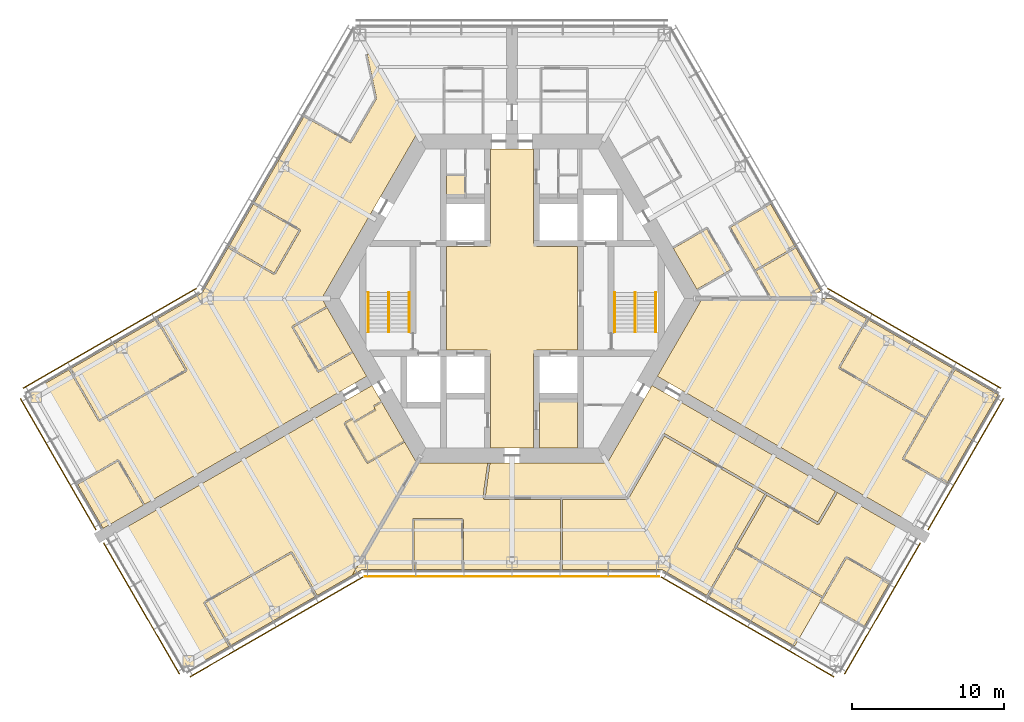
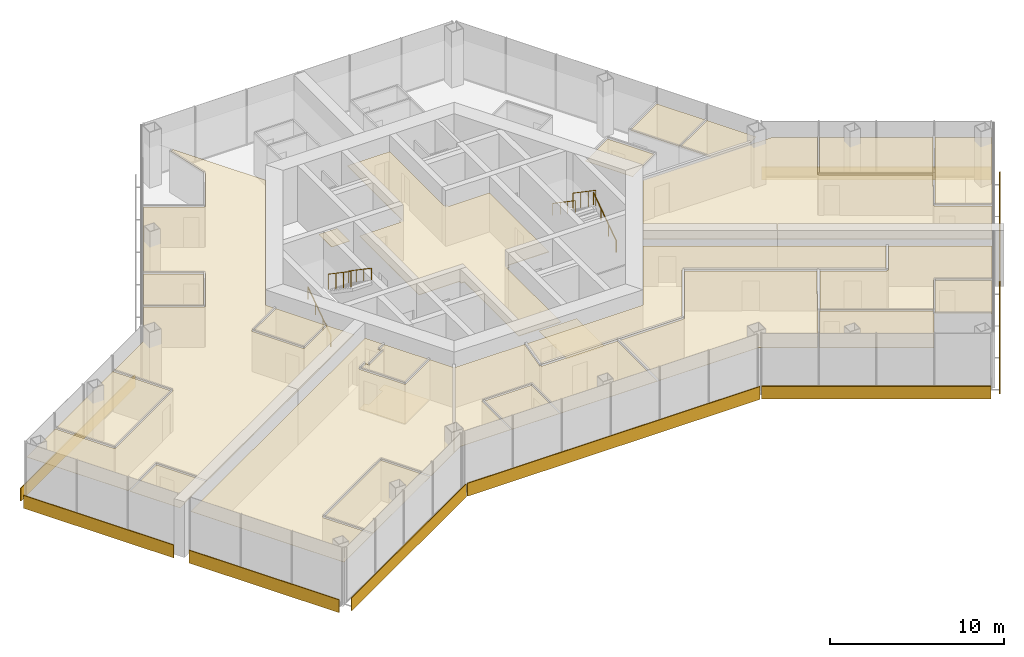
# One storey, part 17 of 18: 25 coverings, 9 shading devices, 6 railings.
"""IFC4 building model written with IfcOpenShell, lengths in metres."""

import ifcopenshell
import ifcopenshell.guid

model = None  # the IFC model being written
_history = None  # IfcOwnerHistory: only IFC2X3 demands one
_inside = {}  # id of a spatial element -> (the spatial element, [elements in it])
_under = {}  # id of a project, library or spatial element -> (it, [spatial elements below it])
_declared = {}  # id of a project -> (the project, [libraries it declares])
_typed = {}  # id of a type object -> (the type object, [elements of that type])
_made_of = {}  # id of a material, layer set ... -> (it, [elements and type objects made of it])


def new_model(schema):
    """Start an empty IFC model of exactly this schema.

    Asked for "IFC4X3", IfcOpenShell would pick the latest addendum, in which some entities
    have other attributes; the version numbers below select the first issue.
    IFC2X3 requires an IfcOwnerHistory on every rooted entity: one is made here for all.
    """
    global model, _history
    if schema == "IFC4X3":
        model = ifcopenshell.file(schema_version=(4, 3, 0, 0))
    else:
        model = ifcopenshell.file(schema=schema)
    _inside.clear()
    _under.clear()
    _declared.clear()
    _typed.clear()
    _made_of.clear()
    _history = None
    if model.schema == "IFC2X3":
        org = make("IfcOrganization", Name="unknown")
        user = make(
            "IfcPersonAndOrganization",
            ThePerson=make("IfcPerson", FamilyName="unknown"),
            TheOrganization=org,
        )
        app = make(
            "IfcApplication",
            ApplicationDeveloper=org,
            Version="unknown",
            ApplicationFullName="unknown",
            ApplicationIdentifier="unknown",
        )
        _history = make(
            "IfcOwnerHistory",
            OwningUser=user,
            OwningApplication=app,
            ChangeAction="ADDED",
            CreationDate=0,
        )
    return model


def make(cls, **values):
    """One entity of the class cls with the attributes given. An attribute that is None is left unset."""
    return model.create_entity(
        cls, **{name: value for name, value in values.items() if value is not None}
    )


def rooted(cls, **values):
    """An entity with a GlobalId (a new one), such as an element, a storey or a relation."""
    return make(cls, GlobalId=ifcopenshell.guid.new(), OwnerHistory=_history, **values)


def si_unit(unit_type, name, prefix=None):
    """IfcSIUnit, for example si_unit("LENGTHUNIT", "METRE", prefix="MILLI")."""
    return make("IfcSIUnit", UnitType=unit_type, Prefix=prefix, Name=name)


def assignment(units):
    """IfcUnitAssignment: the units of a project."""
    return None if units is None else make("IfcUnitAssignment", Units=units)


def point(xyz):
    """IfcCartesianPoint."""
    return None if xyz is None else make("IfcCartesianPoint", Coordinates=xyz)


def direction(xyz):
    """IfcDirection."""
    return None if xyz is None else make("IfcDirection", DirectionRatios=xyz)


def frame(location, z_axis=None, x_axis=None):
    """IfcAxis2Placement3D, a coordinate frame: its origin and axes. An axis left out is left unset."""
    return make(
        "IfcAxis2Placement3D",
        Location=point(location),
        Axis=direction(z_axis),
        RefDirection=direction(x_axis),
    )


def frame_2d(location, x_axis=None):
    """IfcAxis2Placement2D, a coordinate frame in the plane: its origin and x axis."""
    return make(
        "IfcAxis2Placement2D", Location=point(location), RefDirection=direction(x_axis)
    )


def origin():
    """The frame at (0, 0, 0) with its axes left unset."""
    return frame((0.0, 0.0, 0.0))


def origin_2d():
    """The frame at (0, 0) in the plane with its x axis left unset."""
    return frame_2d((0.0, 0.0))


def place(relative_to, where):
    """IfcLocalPlacement: puts the frame where relative to a parent placement (None: the world)."""
    return make(
        "IfcLocalPlacement", PlacementRelTo=relative_to, RelativePlacement=where
    )


def context(
    kind, dimensions, precision=None, world=None, true_north=None, identifier=None
):
    """IfcGeometricRepresentationContext, for example the 3D "Model" context."""
    return make(
        "IfcGeometricRepresentationContext",
        ContextIdentifier=identifier,
        ContextType=kind,
        CoordinateSpaceDimension=dimensions,
        Precision=precision,
        WorldCoordinateSystem=world,
        TrueNorth=true_north,
    )


def subcontext(parent, identifier, kind, view, scale=None):
    """IfcGeometricRepresentationSubContext, for example "Body" below "Model"."""
    return make(
        "IfcGeometricRepresentationSubContext",
        ContextIdentifier=identifier,
        ContextType=kind,
        ParentContext=parent,
        TargetScale=scale,
        TargetView=view,
    )


def project(units=None, contexts=None):
    """IfcProject with its units and contexts."""
    return rooted(
        "IfcProject",
        Name="project",
        RepresentationContexts=contexts,
        UnitsInContext=assignment(units),
    )


def spatial(cls, under=None, at=None, **own):
    """A site, building, storey or space (cls), placed at a placement, below another one or the project."""
    s = rooted(cls, ObjectPlacement=at, **own)
    if under is not None:
        _under.setdefault(under.id(), (under, []))[1].append(s)
    return s


def polyline(points):
    """IfcPolyline through the points."""
    return make("IfcPolyline", Points=[point(p) for p in points])


def profile(cls, at=None, kind="AREA", **sizes):
    """A parametric profile (cls). Its sizes go by their IFC names, for example OverallWidth=200.0."""
    return make(cls, ProfileType=kind, Position=at, **sizes)


def rectangle(**sizes):
    """IfcRectangleProfileDef."""
    return profile("IfcRectangleProfileDef", **sizes)


def circle(**sizes):
    """IfcCircleProfileDef."""
    return profile("IfcCircleProfileDef", **sizes)


def outline(outer, holes=None, kind="AREA"):
    """IfcArbitraryClosedProfileDef: a profile drawn as a closed curve; with holes, ...WithVoids."""
    if holes is None:
        return make("IfcArbitraryClosedProfileDef", ProfileType=kind, OuterCurve=outer)
    return make(
        "IfcArbitraryProfileDefWithVoids",
        ProfileType=kind,
        OuterCurve=outer,
        InnerCurves=holes,
    )


def extrude(swept, where, along, depth):
    """IfcExtrudedAreaSolid: the profile swept, set in the frame where, extruded along a direction by depth."""
    return make(
        "IfcExtrudedAreaSolid",
        SweptArea=swept,
        Position=where,
        ExtrudedDirection=direction(along),
        Depth=depth,
    )


def shape(context_of_items, identifier, shape_type, items):
    """IfcShapeRepresentation: the items that make up one representation, for example the "Body"."""
    return make(
        "IfcShapeRepresentation",
        ContextOfItems=context_of_items,
        RepresentationIdentifier=identifier,
        RepresentationType=shape_type,
        Items=items,
    )


def material(Name=None, Category=None):
    """IfcMaterial."""
    return make("IfcMaterial", Name=Name, Category=Category)


def layer(
    of_material, thickness, ventilated=None, Name=None, Category=None, Priority=None
):
    """IfcMaterialLayer: one layer of a wall or slab, of a material (None: an air gap)."""
    return make(
        "IfcMaterialLayer",
        Material=of_material,
        LayerThickness=thickness,
        IsVentilated=ventilated,
        Name=Name,
        Category=Category,
        Priority=Priority,
    )


def layer_set(layers, Name=None):
    """IfcMaterialLayerSet."""
    return make("IfcMaterialLayerSet", MaterialLayers=layers, LayerSetName=Name)


def made_of(thing, what):
    """Note that an element or type object is made of a material, layer set ...; save() writes the relation."""
    if what is not None:
        _made_of.setdefault(what.id(), (what, []))[1].append(thing)
    return thing


def type_object(cls, material=None, **own):
    """A type object (cls), such as IfcWallType, which elements share."""
    return made_of(rooted(cls, **own), material)


def element(
    cls,
    number,
    at=None,
    inside=None,
    cuts=None,
    type_object=None,
    material=None,
    context=None,
    identifier="Body",
    shape_type=None,
    held_by="IfcProductDefinitionShape",
    body=None,
    shapes=None,
    **own,
):
    """One element of the class cls, such as IfcWall. Its Tag is "e" and its number.

    at: its placement. inside: the storey or other place that contains it. cuts: it is an
    opening in that element (IfcRelVoidsElement). A single representation is given by context,
    identifier, shape_type and body (its items); several are given by shapes. held_by: the class
    of the entity that holds the representations. save() writes the other relations.
    """
    e = rooted(cls, Tag="e%d" % number, ObjectPlacement=at, **own)
    if body is not None:
        shapes = [shape(context, identifier, shape_type, body)]
    if shapes is not None:
        e.Representation = make(held_by, Representations=shapes)
    if inside is not None:
        _inside.setdefault(inside.id(), (inside, []))[1].append(e)
    if cuts is not None:
        rooted(
            "IfcRelVoidsElement", RelatingBuildingElement=cuts, RelatedOpeningElement=e
        )
    if type_object is not None:
        _typed.setdefault(type_object.id(), (type_object, []))[1].append(e)
    return made_of(e, material)


def aggregate(whole, parts):
    """IfcRelAggregates: a whole, such as a stair, and the parts it consists of."""
    return rooted("IfcRelAggregates", RelatingObject=whole, RelatedObjects=parts)


def save(model, path):
    """Write the relations noted so far, then the file.

    IfcRelAggregates (storeys below a building ...), IfcRelContainedInSpatialStructure (elements
    in a storey), IfcRelDefinesByType, IfcRelAssociatesMaterial and IfcRelDeclares: one each for
    every whole, place, type object, material and project.
    """
    for whole, parts in _under.values():
        aggregate(whole, parts)
    for where, things in _inside.values():
        rooted(
            "IfcRelContainedInSpatialStructure",
            RelatedElements=things,
            RelatingStructure=where,
        )
    for kind, things in _typed.values():
        rooted("IfcRelDefinesByType", RelatedObjects=things, RelatingType=kind)
    for what, things in _made_of.values():
        rooted("IfcRelAssociatesMaterial", RelatedObjects=things, RelatingMaterial=what)
    for by, libraries in _declared.values():
        rooted("IfcRelDeclares", RelatingContext=by, RelatedDefinitions=libraries)
    model.write(path)


model = new_model("IFC4")

# Units and contexts
model_context = context("Model", 3, precision=1e-05, world=origin(), true_north=direction((0.0, 1.0)))
body_context = subcontext(model_context, "Body", "Model", "MODEL_VIEW")
ifc_project = project(units=[si_unit("LENGTHUNIT", "METRE"), si_unit("AREAUNIT", "SQUARE_METRE"), si_unit("VOLUMEUNIT", "CUBIC_METRE"), si_unit("PLANEANGLEUNIT", "RADIAN"), si_unit("MASSUNIT", "GRAM", prefix="KILO")], contexts=[model_context])

# Site, building, storey
site_placement = place(None, origin())
site = spatial("IfcSite", under=ifc_project, at=site_placement, CompositionType="ELEMENT")
building_placement = place(site_placement, origin())
building = spatial("IfcBuilding", under=site, at=building_placement, Name="Kasaneha Research Tower", CompositionType="ELEMENT")
storey_placement = place(building_placement, frame((0.0, 0.0, 168.199951171875)))
storey = spatial("IfcBuildingStorey", under=building, at=storey_placement, Name="L42", CompositionType="ELEMENT", Elevation=168.199951171875)

# Covering
ifc_material_1 = material(Name="Aluminium panel ceiling", Category="aluminium")
ifc_layer_1 = layer(ifc_material_1, 0.0400390625)
ifc_layer_set_1 = layer_set([ifc_layer_1], Name="Lift lobby ceiling 40")
covering_type_1 = type_object("IfcCoveringType", Name="Lift lobby ceiling 40", PredefinedType="CEILING", material=ifc_layer_set_1)
covering_1_placement = place(storey_placement, frame((0.0, 0.0, 2.699951171875)))
element("IfcCovering", 1, at=covering_1_placement, inside=storey, type_object=covering_type_1, Name="Ceiling L42-01", PredefinedType="CEILING", context=body_context, shape_type="SweptSolid", body=[
    extrude(outline(polyline([(1.39990234375, 9.824951171875), (1.39990234375, 3.60009765625), (1.60009765625, 3.60009765625), (1.60009765625, 3.39990234375), (4.300048828125, 3.39990234375), (4.300048828125, -3.39990234375), (1.60009765625, -3.39990234375), (1.60009765625, -3.60009765625), (1.39990234375, -3.60009765625), (1.39990234375, -9.824951171875), (-1.39990234375, -9.824951171875), (-1.39990234375, -3.60009765625), (-1.60009765625, -3.60009765625), (-1.60009765625, -3.39990234375), (-4.300048828125, -3.39990234375), (-4.300048828125, 3.39990234375), (-1.60009765625, 3.39990234375), (-1.60009765625, 3.60009765625), (-1.39990234375, 3.60009765625), (-1.39990234375, 9.824951171875), (1.39990234375, 9.824951171875)])), origin(), (0.0, 0.0, 1.0), 0.0400390625),
])

# Railings
ifc_material_2 = material(Name="Steel", Category="steel")
railing_type_1 = type_object("IfcRailingType", Name="Stair balustrade 1100", PredefinedType="GUARDRAIL", material=ifc_material_2)
for number, where, name in (
    (2, (8.10009765625, 0.39990234375, 2.12744140625), "Stair 1 balustrade L42"),
    (3, (-8.10009765625, 0.39990234375, 2.12744140625), "Stair 2 balustrade L42"),
):
    element("IfcRailing", number, at=place(storey_placement, frame(where)), inside=storey, type_object=railing_type_1, Name=name, PredefinedType="GUARDRAIL", context=body_context, shape_type="SweptSolid", body=[
        extrude(circle(Radius=0.02392578125, at=origin_2d()), frame((0.0, 0.0, 1.076171875), z_axis=(0.0, -0.826215852431, 0.563353676824), x_axis=(1.0, 0.0, 0.0)), (0.0, 0.0, 1.0), 3.146728515625),
        extrude(circle(Radius=0.02099609375, at=origin_2d()), origin(), (0.0, 0.0, 1.0), 1.052001953125),
        extrude(circle(Radius=0.02099609375, at=origin_2d()), frame((0.0, -0.86669921875, 0.5908203125)), (0.0, 0.0, 1.0), 1.052001953125),
        extrude(circle(Radius=0.02099609375, at=origin_2d()), frame((0.0, -1.733154296875, 1.181884765625)), (0.0, 0.0, 1.0), 1.052001953125),
        extrude(circle(Radius=0.02099609375, at=origin_2d()), frame((0.0, -2.599853515625, 1.772705078125)), (0.0, 0.0, 1.0), 1.052001953125),
    ])
ifc_material_3 = material(Name="Steel", Category="steel")
railing_type_2 = type_object("IfcRailingType", Name="Stair handrail 850", PredefinedType="HANDRAIL", material=ifc_material_3)
railing_1_placement = place(storey_placement, frame((9.449951171875, -2.199951171875, 0.17724609375)))
element("IfcRailing", 4, at=railing_1_placement, inside=storey, type_object=railing_type_2, Name="Stair 1 handrail L42", PredefinedType="HANDRAIL", context=body_context, shape_type="SweptSolid", body=[
    extrude(circle(Radius=0.02392578125, at=origin_2d()), frame((0.0, 0.0, 0.826171875), z_axis=(0.0, 0.826215852431, 0.563353676824), x_axis=(-1.0, 0.0, 0.0)), (0.0, 0.0, 1.0), 3.146728515625),
    extrude(circle(Radius=0.02099609375, at=origin_2d()), origin(), (0.0, 0.0, 1.0), 0.802001953125),
    extrude(circle(Radius=0.02099609375, at=origin_2d()), frame((0.0, 0.86669921875, 0.5908203125)), (0.0, 0.0, 1.0), 0.802001953125),
    extrude(circle(Radius=0.02099609375, at=origin_2d()), frame((0.0, 1.733154296875, 1.181884765625)), (0.0, 0.0, 1.0), 0.802001953125),
    extrude(circle(Radius=0.02099609375, at=origin_2d()), frame((0.0, 2.599853515625, 1.772705078125)), (0.0, 0.0, 1.0), 0.802001953125),
])
railing_2_placement = place(storey_placement, frame((6.75, 0.39990234375, 2.12744140625)))
element("IfcRailing", 5, at=railing_2_placement, inside=storey, type_object=railing_type_2, Name="Stair 1 handrail L42", PredefinedType="HANDRAIL", context=body_context, shape_type="SweptSolid", body=[
    extrude(circle(Radius=0.02392578125, at=origin_2d()), frame((0.0, 0.0, 0.826171875), z_axis=(0.0, -0.826215852431, 0.563353676824), x_axis=(1.0, 0.0, 0.0)), (0.0, 0.0, 1.0), 3.146728515625),
    extrude(circle(Radius=0.02099609375, at=origin_2d()), origin(), (0.0, 0.0, 1.0), 0.802001953125),
    extrude(circle(Radius=0.02099609375, at=origin_2d()), frame((0.0, -0.86669921875, 0.5908203125)), (0.0, 0.0, 1.0), 0.802001953125),
    extrude(circle(Radius=0.02099609375, at=origin_2d()), frame((0.0, -1.733154296875, 1.181884765625)), (0.0, 0.0, 1.0), 0.802001953125),
    extrude(circle(Radius=0.02099609375, at=origin_2d()), frame((0.0, -2.599853515625, 1.772705078125)), (0.0, 0.0, 1.0), 0.802001953125),
])
railing_3_placement = place(storey_placement, frame((-9.449951171875, -2.199951171875, 0.17724609375)))
element("IfcRailing", 6, at=railing_3_placement, inside=storey, type_object=railing_type_2, Name="Stair 2 handrail L42", PredefinedType="HANDRAIL", context=body_context, shape_type="SweptSolid", body=[
    extrude(circle(Radius=0.02392578125, at=origin_2d()), frame((0.0, 0.0, 0.826171875), z_axis=(0.0, 0.826215852431, 0.563353676824), x_axis=(-1.0, 0.0, 0.0)), (0.0, 0.0, 1.0), 3.146728515625),
    extrude(circle(Radius=0.02099609375, at=origin_2d()), origin(), (0.0, 0.0, 1.0), 0.802001953125),
    extrude(circle(Radius=0.02099609375, at=origin_2d()), frame((0.0, 0.86669921875, 0.5908203125)), (0.0, 0.0, 1.0), 0.802001953125),
    extrude(circle(Radius=0.02099609375, at=origin_2d()), frame((0.0, 1.733154296875, 1.181884765625)), (0.0, 0.0, 1.0), 0.802001953125),
    extrude(circle(Radius=0.02099609375, at=origin_2d()), frame((0.0, 2.599853515625, 1.772705078125)), (0.0, 0.0, 1.0), 0.802001953125),
])
railing_4_placement = place(storey_placement, frame((-6.75, 0.39990234375, 2.12744140625)))
element("IfcRailing", 7, at=railing_4_placement, inside=storey, type_object=railing_type_2, Name="Stair 2 handrail L42", PredefinedType="HANDRAIL", context=body_context, shape_type="SweptSolid", body=[
    extrude(circle(Radius=0.02392578125, at=origin_2d()), frame((0.0, 0.0, 0.826171875), z_axis=(0.0, -0.826215852431, 0.563353676824), x_axis=(1.0, 0.0, 0.0)), (0.0, 0.0, 1.0), 3.146728515625),
    extrude(circle(Radius=0.02099609375, at=origin_2d()), origin(), (0.0, 0.0, 1.0), 0.802001953125),
    extrude(circle(Radius=0.02099609375, at=origin_2d()), frame((0.0, -0.86669921875, 0.5908203125)), (0.0, 0.0, 1.0), 0.802001953125),
    extrude(circle(Radius=0.02099609375, at=origin_2d()), frame((0.0, -1.733154296875, 1.181884765625)), (0.0, 0.0, 1.0), 0.802001953125),
    extrude(circle(Radius=0.02099609375, at=origin_2d()), frame((0.0, -2.599853515625, 1.772705078125)), (0.0, 0.0, 1.0), 0.802001953125),
])

# Coverings
ifc_material_4 = material(Name="Gypsum ceiling board", Category="gypsum")
ifc_layer_2 = layer(ifc_material_4, 0.02001953125)
ifc_layer_set_2 = layer_set([ifc_layer_2], Name="Suspended ceiling 20")
covering_type_2 = type_object("IfcCoveringType", Name="Suspended ceiling 20", PredefinedType="CEILING", material=ifc_layer_set_2)
covering_2_placement = place(storey_placement, frame((0.0, 0.0, 2.800048828125)))
element("IfcCovering", 8, at=covering_2_placement, inside=storey, type_object=covering_type_2, Name="Ceiling L42-30", PredefinedType="CEILING", context=body_context, shape_type="SweptSolid", body=[
    extrude(outline(polyline([(10.57470703125, 3.333984375), (10.592041015625, 3.343994140625), (10.616943359375, 3.30078125), (12.80810546875, 4.565673828125), (14.358154296875, 1.881103515625), (12.1669921875, 0.6162109375), (12.192138671875, 0.57275390625), (12.1748046875, 0.562744140625), (10.57470703125, 3.333984375)])), origin(), (0.0, 0.0, 1.0), 0.02001953125),
])
covering_3_placement = place(storey_placement, frame((0.0, 0.0, 2.800048828125)))
element("IfcCovering", 9, at=covering_3_placement, inside=storey, type_object=covering_type_2, Name="Ceiling L42-31", PredefinedType="CEILING", context=body_context, shape_type="SweptSolid", body=[
    extrude(outline(polyline([(18.63720703125, 3.360595703125), (18.619873046875, 3.3505859375), (18.594970703125, 3.393798828125), (15.97216796875, 1.88525390625), (14.35546875, 4.677001953125), (16.99658203125, 6.201904296875), (18.63720703125, 3.360595703125)])), origin(), (0.0, 0.0, 1.0), 0.02001953125),
])
covering_4_placement = place(storey_placement, frame((0.0, 0.0, 2.800048828125)))
element("IfcCovering", 10, at=covering_4_placement, inside=storey, type_object=covering_type_2, Name="Ceiling L42-32", PredefinedType="CEILING", context=body_context, shape_type="SweptSolid", body=[
    extrude(outline(polyline([(20.28759765625, 0.501708984375), (19.41845703125, 0.0), (16.997802734375, 0.0), (16.986328125, 0.02001953125), (17.029541015625, 0.044921875), (16.022216796875, 1.798583984375), (18.644775390625, 3.30712890625), (18.619873046875, 3.3505859375), (18.63720703125, 3.360595703125), (20.28759765625, 0.501708984375)])), origin(), (0.0, 0.0, 1.0), 0.02001953125),
])
covering_5_placement = place(storey_placement, frame((0.0, 0.0, 2.800048828125)))
element("IfcCovering", 11, at=covering_5_placement, inside=storey, type_object=covering_type_2, Name="Ceiling L42-38", PredefinedType="CEILING", context=body_context, shape_type="SweptSolid", body=[
    extrude(outline(polyline([(-16.99658203125, 6.201904296875), (-14.0087890625, 4.476806640625), (-15.62451171875, 1.6787109375), (-18.5947265625, 3.393798828125), (-18.619873046875, 3.3505859375), (-18.63720703125, 3.360595703125), (-16.99658203125, 6.201904296875)])), origin(), (0.0, 0.0, 1.0), 0.02001953125),
])
covering_6_placement = place(storey_placement, frame((0.0, 0.0, 2.800048828125)))
element("IfcCovering", 12, at=covering_6_placement, inside=storey, type_object=covering_type_2, Name="Ceiling L42-39", PredefinedType="CEILING", context=body_context, shape_type="SweptSolid", body=[
    extrude(outline(polyline([(-23.34228515625, -1.352294921875), (-23.332275390625, -1.36962890625), (-23.37548828125, -1.39453125), (-21.46044921875, -4.71142578125), (-27.106689453125, -7.97119140625), (-29.03173828125, -4.636962890625), (-23.34228515625, -1.352294921875)])), origin(), (0.0, 0.0, 1.0), 0.02001953125),
])
covering_7_placement = place(storey_placement, frame((0.0, 0.0, 2.800048828125)))
element("IfcCovering", 13, at=covering_7_placement, inside=storey, type_object=covering_type_2, Name="Ceiling L42-40", PredefinedType="CEILING", context=body_context, shape_type="SweptSolid", body=[
    extrude(outline(polyline([(-10.474609375, -3.50732421875), (-10.491943359375, -3.51708984375), (-10.51708984375, -3.473876953125), (-12.7080078125, -4.739013671875), (-14.358154296875, -1.881103515625), (-12.1669921875, -0.6162109375), (-12.192138671875, -0.57275390625), (-12.1748046875, -0.562744140625), (-10.474609375, -3.50732421875)])), origin(), (0.0, 0.0, 1.0), 0.02001953125),
])
covering_8_placement = place(storey_placement, frame((0.0, 0.0, 2.800048828125)))
element("IfcCovering", 14, at=covering_8_placement, inside=storey, type_object=covering_type_2, Name="Ceiling L42-41", PredefinedType="CEILING", context=body_context, shape_type="SweptSolid", body=[
    extrude(outline(polyline([(-28.532958984375, -12.220458984375), (-25.8916015625, -10.6953125), (-24.235107421875, -13.564697265625), (-24.191650390625, -13.539794921875), (-24.181640625, -13.55712890625), (-26.866455078125, -15.107177734375), (-28.532958984375, -12.220458984375)])), origin(), (0.0, 0.0, 1.0), 0.02001953125),
])
covering_9_placement = place(storey_placement, frame((0.0, 0.0, 2.800048828125)))
element("IfcCovering", 15, at=covering_9_placement, inside=storey, type_object=covering_type_2, Name="Ceiling L42-42", PredefinedType="CEILING", context=body_context, shape_type="SweptSolid", body=[
    extrude(outline(polyline([(-12.1923828125, -0.572265625), (-12.217041015625, -0.529541015625), (-14.451416015625, -1.819580078125), (-14.426513671875, -1.86279296875), (-14.4267578125, -1.863037109375), (-14.4267578125, -1.863037109375), (-14.4697265625, -1.8876953125), (-12.769775390625, -4.832275390625), (-12.726806640625, -4.807373046875), (-12.7265625, -4.8076171875), (-12.726318359375, -4.8076171875), (-12.701416015625, -4.8505859375), (-10.467041015625, -3.560546875), (-10.49169921875, -3.517578125), (-10.474365234375, -3.507568359375), (-9.5498046875, -5.109375), (-10.3291015625, -5.559326171875), (-10.3291015625, -5.559326171875), (-18.001220703125, -9.98876953125), (-24.18115234375, -13.556884765625), (-24.191162109375, -13.53955078125), (-24.1484375, -13.514892578125), (-25.830078125, -10.60205078125), (-25.873046875, -10.626953125), (-25.873291015625, -10.626708984375), (-25.87353515625, -10.626708984375), (-25.898193359375, -10.583740234375), (-28.5830078125, -12.1337890625), (-31.94140625, -6.31689453125), (-29.1181640625, -4.68701171875), (-27.168212890625, -8.064697265625), (-27.125244140625, -8.039794921875), (-27.125, -8.0400390625), (-27.124755859375, -8.0400390625), (-27.10009765625, -8.0830078125), (-21.3671875, -4.773193359375), (-21.39208984375, -4.730224609375), (-21.391845703125, -4.730224609375), (-21.39208984375, -4.729736328125), (-21.348876953125, -4.704833984375), (-23.288818359375, -1.344482421875), (-23.331787109375, -1.369384765625), (-23.341796875, -1.35205078125), (-20.365966796875, 0.365966796875), (-18.637451171875, 3.360107421875), (-18.6201171875, 3.35009765625), (-18.644775390625, 3.30712890625), (-15.631103515625, 1.567138671875), (-15.606201171875, 1.6103515625), (-15.605712890625, 1.610107421875), (-15.605712890625, 1.6103515625), (-15.562744140625, 1.58544921875), (-13.897216796875, 4.47021484375), (-13.940185546875, 4.4951171875), (-13.940185546875, 4.495361328125), (-13.9404296875, 4.49560546875), (-13.91552734375, 4.53857421875), (-16.94677734375, 6.28857421875), (-13.64111328125, 12.01416015625), (-13.62353515625, 12.004150390625), (-13.6484375, 11.961181640625), (-10.634765625, 10.22119140625), (-10.609619140625, 10.264404296875), (-10.609375, 10.26416015625), (-10.609375, 10.26416015625), (-10.56640625, 10.239501953125), (-8.89990234375, 13.124267578125), (-8.943115234375, 13.1494140625), (-8.894287109375, 13.159912109375), (-9.51513671875, 16.034423828125), (-9.56396484375, 16.02392578125), (-9.56396484375, 16.02392578125), (-9.308837890625, 16.122314453125), (-6.25, 10.824462890625), (-12.49951171875, 0.0), (-12.175048828125, -0.562255859375), (-12.1923828125, -0.572265625)])), origin(), (0.0, 0.0, 1.0), 0.02001953125),
])
covering_10_placement = place(storey_placement, frame((0.0, 0.0, 2.800048828125)))
element("IfcCovering", 16, at=covering_10_placement, inside=storey, type_object=covering_type_2, Name="Ceiling L42-43", PredefinedType="CEILING", context=body_context, shape_type="SweptSolid", body=[
    extrude(outline(polyline([(-10.35498046875, -8.11474609375), (-10.35498046875, -8.11474609375), (-10.330078125, -8.157958984375), (-8.9443359375, -7.35791015625), (-8.994384765625, -7.271240234375), (-8.994384765625, -7.271240234375), (-9.09423828125, -7.09814453125), (-9.09423828125, -7.09814453125), (-9.0693359375, -7.141357421875), (-8.56689453125, -6.851318359375), (-8.592041015625, -6.80810546875), (-8.57470703125, -6.798095703125), (-7.07470703125, -9.396240234375), (-7.092041015625, -9.40625), (-7.116943359375, -9.36279296875), (-9.481201171875, -10.727783203125), (-10.931396484375, -8.21630859375), (-10.455078125, -7.94140625), (-10.35498046875, -8.11474609375)])), origin(), (0.0, 0.0, 1.0), 0.02001953125),
])
covering_11_placement = place(storey_placement, frame((0.0, 0.0, 2.800048828125)))
element("IfcCovering", 17, at=covering_11_placement, inside=storey, type_object=covering_type_2, Name="Ceiling L42-44", PredefinedType="CEILING", context=body_context, shape_type="SweptSolid", body=[
    extrude(outline(polyline([(-18.574951171875, -22.8486328125), (-18.5849609375, -22.831298828125), (-18.541748046875, -22.806396484375), (-20.15673828125, -20.009033203125), (-14.510498046875, -16.749267578125), (-12.885498046875, -19.563720703125), (-18.574951171875, -22.8486328125)])), origin(), (0.0, 0.0, 1.0), 0.02001953125),
])
covering_12_placement = place(storey_placement, frame((0.0, 0.0, 2.800048828125)))
element("IfcCovering", 18, at=covering_12_placement, inside=storey, type_object=covering_type_2, Name="Ceiling L42-45", PredefinedType="CEILING", context=body_context, shape_type="SweptSolid", body=[
    extrude(outline(polyline([(-9.979248046875, -6.16552734375), (-9.979248046875, -6.16552734375), (-9.19970703125, -5.715576171875), (-8.574951171875, -6.797607421875), (-8.59228515625, -6.8076171875), (-8.616943359375, -6.764892578125), (-9.119384765625, -7.0546875), (-9.094482421875, -7.09765625), (-9.0947265625, -7.097900390625), (-8.99462890625, -7.271484375), (-10.379638671875, -8.071044921875), (-10.47998046875, -7.897705078125), (-10.480224609375, -7.897705078125), (-10.5048828125, -7.854736328125), (-11.024658203125, -8.15478515625), (-10.999755859375, -8.19775390625), (-11.0, -8.197998046875), (-11.0, -8.1982421875), (-11.04296875, -8.22314453125), (-9.54296875, -10.8212890625), (-9.5, -10.79638671875), (-9.5, -10.796630859375), (-9.49951171875, -10.79638671875), (-9.474609375, -10.839599609375), (-7.06689453125, -9.449462890625), (-7.091796875, -9.40673828125), (-7.074462890625, -9.396728515625), (-6.249755859375, -10.824951171875), (-10.5, -18.1865234375), (-12.798828125, -19.513916015625), (-14.448974609375, -16.656005859375), (-14.4921875, -16.680908203125), (-14.51708984375, -16.6376953125), (-20.25, -19.947509765625), (-20.225341796875, -19.990234375), (-20.225341796875, -19.990478515625), (-20.22509765625, -19.99072265625), (-20.268310546875, -20.015625), (-18.62841796875, -22.856201171875), (-18.58544921875, -22.83154296875), (-18.575439453125, -22.848876953125), (-21.44140625, -24.50341796875), (-26.516357421875, -15.71337890625), (-10.84521484375, -6.66552734375), (-10.84521484375, -6.66552734375), (-9.979248046875, -6.16552734375)])), origin(), (0.0, 0.0, 1.0), 0.02001953125),
])
covering_13_placement = place(storey_placement, frame((0.0, 0.0, 2.800048828125)))
element("IfcCovering", 19, at=covering_13_placement, inside=storey, type_object=covering_type_2, Name="Ceiling L42-46", PredefinedType="CEILING", context=body_context, shape_type="SweptSolid", body=[
    extrude(outline(polyline([(29.03173828125, -4.63720703125), (27.203857421875, -7.7919921875), (21.560546875, -4.538330078125), (23.37548828125, -1.39453125), (23.332275390625, -1.36962890625), (23.34228515625, -1.352294921875), (29.03173828125, -4.63720703125)])), origin(), (0.0, 0.0, 1.0), 0.02001953125),
])
covering_14_placement = place(storey_placement, frame((0.0, 0.0, 2.800048828125)))
element("IfcCovering", 20, at=covering_14_placement, inside=storey, type_object=covering_type_2, Name="Ceiling L42-47", PredefinedType="CEILING", context=body_context, shape_type="SweptSolid", body=[
    extrude(outline(polyline([(31.941650390625, -6.316650390625), (28.5830078125, -12.1337890625), (25.768310546875, -10.5087890625), (27.269775390625, -7.887451171875), (27.265625, -7.885009765625), (29.118408203125, -4.68701171875), (31.941650390625, -6.316650390625)])), origin(), (0.0, 0.0, 1.0), 0.02001953125),
])
covering_15_placement = place(storey_placement, frame((0.0, 0.0, 2.800048828125)))
element("IfcCovering", 21, at=covering_15_placement, inside=storey, type_object=covering_type_2, Name="Ceiling L42-48", PredefinedType="CEILING", context=body_context, shape_type="SweptSolid", body=[
    extrude(outline(polyline([(9.5498046875, -5.109375), (12.49951171875, 0.0), (16.93994140625, 0.0), (16.94287109375, -0.0048828125), (16.951416015625, 0.0), (21.0, 0.0), (23.341796875, -1.35205078125), (23.331787109375, -1.369384765625), (23.288818359375, -1.344482421875), (21.448974609375, -4.531494140625), (21.491943359375, -4.556396484375), (21.49169921875, -4.556884765625), (21.491943359375, -4.556884765625), (21.46728515625, -4.599853515625), (27.158447265625, -7.881103515625), (25.65673828125, -10.502197265625), (25.69970703125, -10.52685546875), (25.69970703125, -10.527099609375), (25.699951171875, -10.52734375), (25.675048828125, -10.5703125), (28.532958984375, -12.220458984375), (26.866455078125, -15.107177734375), (14.286376953125, -7.843994140625), (10.3291015625, -5.559326171875), (10.3291015625, -5.559326171875), (9.5498046875, -5.109375)])), origin(), (0.0, 0.0, 1.0), 0.02001953125),
])
covering_16_placement = place(storey_placement, frame((0.0, 0.0, 2.800048828125)))
element("IfcCovering", 22, at=covering_16_placement, inside=storey, type_object=covering_type_2, Name="Ceiling L42-49", PredefinedType="CEILING", context=body_context, shape_type="SweptSolid", body=[
    extrude(outline(polyline([(9.991455078125, -8.944091796875), (9.9267578125, -8.906494140625), (7.534423828125, -13.050048828125), (3.25146484375, -13.050048828125), (3.241455078125, -13.050048828125), (-1.75830078125, -13.050048828125), (-1.449951171875, -10.85546875), (-1.524169921875, -10.844970703125), (-1.521240234375, -10.824951171875), (6.249755859375, -10.824951171875), (9.19970703125, -5.715576171875), (9.979248046875, -6.16552734375), (9.979248046875, -6.16552734375), (10.84521484375, -6.66552734375), (10.84521484375, -6.66552734375), (16.76171875, -10.08154296875), (21.320068359375, -12.71337890625), (21.310302734375, -12.730712890625), (21.245361328125, -12.693115234375), (20.0927734375, -14.689453125), (16.75048828125, -12.759765625), (16.75048828125, -12.759765625), (10.029052734375, -8.879150390625), (9.99169921875, -8.944091796875), (9.99169921875, -8.944091796875), (9.991455078125, -8.944091796875)])), origin(), (0.0, 0.0, 1.0), 0.02001953125),
])
covering_17_placement = place(storey_placement, frame((0.0, 0.0, 2.800048828125)))
element("IfcCovering", 23, at=covering_17_placement, inside=storey, type_object=covering_type_2, Name="Ceiling L42-50", PredefinedType="CEILING", context=body_context, shape_type="SweptSolid", body=[
    extrude(outline(polyline([(18.574951171875, -22.8486328125), (12.885498046875, -19.563720703125), (14.71240234375, -16.408935546875), (20.359619140625, -19.6689453125), (20.2314453125, -19.899169921875), (20.2666015625, -19.918701171875), (18.574951171875, -22.8486328125)])), origin(), (0.0, 0.0, 1.0), 0.02001953125),
])
covering_18_placement = place(storey_placement, frame((0.0, 0.0, 2.800048828125)))
element("IfcCovering", 24, at=covering_18_placement, inside=storey, type_object=covering_type_2, Name="Ceiling L42-51", PredefinedType="CEILING", context=body_context, shape_type="SweptSolid", body=[
    extrude(outline(polyline([(-6.492919921875, -17.820556640625), (-6.492919921875, -17.800537109375), (-6.44287109375, -17.800537109375), (-6.44287109375, -14.570556640625), (-3.29638671875, -14.570556640625), (-3.29638671875, -17.800537109375), (-3.246337890625, -17.800537109375), (-3.246337890625, -17.820556640625), (-6.492919921875, -17.820556640625)])), origin(), (0.0, 0.0, 1.0), 0.02001953125),
])
covering_19_placement = place(storey_placement, frame((0.0, 0.0, 2.800048828125)))
element("IfcCovering", 25, at=covering_19_placement, inside=storey, type_object=covering_type_2, Name="Ceiling L42-52", PredefinedType="CEILING", context=body_context, shape_type="SweptSolid", body=[
    extrude(outline(polyline([(23.133056640625, -21.573486328125), (23.11572265625, -21.5634765625), (23.140625, -21.520263671875), (20.3427734375, -19.90478515625), (20.470458984375, -19.67529296875), (20.474853515625, -19.677734375), (21.985107421875, -17.061767578125), (24.7998046875, -18.686767578125), (23.133056640625, -21.573486328125)])), origin(), (0.0, 0.0, 1.0), 0.02001953125),
])
covering_20_placement = place(storey_placement, frame((0.0, 0.0, 2.800048828125)))
element("IfcCovering", 26, at=covering_20_placement, inside=storey, type_object=covering_type_2, Name="Ceiling L42-53", PredefinedType="CEILING", context=body_context, shape_type="SweptSolid", body=[
    extrude(outline(polyline([(7.578125, -13.125244140625), (7.642578125, -13.16259765625), (10.01904296875, -9.046630859375), (16.6103515625, -12.85205078125), (14.624755859375, -16.30078125), (14.650634765625, -16.31591796875), (12.798828125, -19.513916015625), (9.865966796875, -17.820556640625), (3.246337890625, -17.820556640625), (3.246337890625, -17.800537109375), (3.3212890625, -17.800537109375), (3.326416015625, -13.199951171875), (7.57763671875, -13.199951171875), (7.57763671875, -13.12548828125), (7.577880859375, -13.12548828125), (7.578125, -13.125244140625)])), origin(), (0.0, 0.0, 1.0), 0.02001953125),
])
covering_21_placement = place(storey_placement, frame((0.0, 0.0, 2.800048828125)))
element("IfcCovering", 27, at=covering_21_placement, inside=storey, type_object=covering_type_2, Name="Ceiling L42-54", PredefinedType="CEILING", context=body_context, shape_type="SweptSolid", body=[
    extrude(outline(polyline([(-3.246337890625, -14.520263671875), (-3.246337890625, -14.470458984375), (-6.492919921875, -14.470458984375), (-6.492919921875, -14.52001953125), (-6.492919921875, -14.52001953125), (-6.492919921875, -14.5205078125), (-6.542724609375, -14.5205078125), (-6.542724609375, -17.800537109375), (-6.493408203125, -17.800537109375), (-6.493408203125, -17.820556640625), (-9.865966796875, -17.820556640625), (-10.5, -18.1865234375), (-6.249755859375, -10.824951171875), (-1.52197265625, -10.824951171875), (-1.524658203125, -10.844970703125), (-1.598388671875, -10.83447265625), (-1.9189453125, -13.114501953125), (-1.8447265625, -13.125), (-1.8447265625, -13.12548828125), (-1.844482421875, -13.12548828125), (-1.844482421875, -13.199951171875), (3.17626953125, -13.199951171875), (3.17138671875, -17.800537109375), (3.246337890625, -17.800537109375), (3.246337890625, -17.820556640625), (-3.245849609375, -17.820556640625), (-3.245849609375, -17.800537109375), (-3.1962890625, -17.800537109375), (-3.1962890625, -14.5205078125), (-3.24609375, -14.5205078125), (-3.24609375, -14.520263671875), (-3.246337890625, -14.520263671875)])), origin(), (0.0, 0.0, 1.0), 0.02001953125),
])
covering_22_placement = place(storey_placement, frame((0.0, 0.0, 2.800048828125)))
element("IfcCovering", 28, at=covering_22_placement, inside=storey, type_object=covering_type_2, Name="Ceiling L42-55", PredefinedType="CEILING", context=body_context, shape_type="SweptSolid", body=[
    extrude(outline(polyline([(25.57421875, -15.16943359375), (26.516357421875, -15.71337890625), (24.849609375, -18.60009765625), (21.99169921875, -16.9501953125), (21.967041015625, -16.9931640625), (21.966552734375, -16.992919921875), (21.966552734375, -16.9931640625), (21.923583984375, -16.968505859375), (20.4130859375, -19.58447265625), (14.779541015625, -16.33251953125), (16.740478515625, -12.927001953125), (20.082763671875, -14.856689453125), (20.119873046875, -14.792236328125), (20.119873046875, -14.792236328125), (20.1201171875, -14.791748046875), (20.18505859375, -14.829345703125), (21.375244140625, -12.768310546875), (21.310546875, -12.73095703125), (21.320556640625, -12.713623046875), (25.57421875, -15.16943359375)])), origin(), (0.0, 0.0, 1.0), 0.02001953125),
])

# Shading devices
ifc_material_5 = material(Name="Terracotta", Category="masonry")
ifc_layer_3 = layer(ifc_material_5, 0.06005859375)
ifc_layer_set_3 = layer_set([ifc_layer_3], Name="Terracotta baguette screen")
shading_device_type = type_object("IfcShadingDeviceType", Name="Terracotta baguette screen", PredefinedType="USERDEFINED", material=ifc_layer_set_3)
shading_device_1_placement = place(storey_placement, frame((0.0, -18.2705078125, -0.449951171875), z_axis=(0.0, 0.0, 1.0), x_axis=(1.0, 0.0, 0.0)))
element("IfcShadingDevice", 29, at=shading_device_1_placement, inside=storey, type_object=shading_device_type, Name="Baguette screen L42 01", ObjectType="TERRACOTTA BAGUETTE SCREEN", PredefinedType="USERDEFINED", context=body_context, shape_type="SweptSolid", body=[
    extrude(rectangle(XDim=19.37841796875, YDim=0.06005859375, at=origin_2d()), origin(), (0.0, 0.0, 1.0), 0.89990234375),
])
shading_device_2_placement = place(storey_placement, frame((15.483642578125, -21.58349609375, -0.449951171875), z_axis=(0.0, 0.0, 1.0), x_axis=(0.866025411464, -0.499999986699, 0.0)))
element("IfcShadingDevice", 30, at=shading_device_2_placement, inside=storey, type_object=shading_device_type, Name="Baguette screen L42 02", ObjectType="TERRACOTTA BAGUETTE SCREEN", PredefinedType="USERDEFINED", context=body_context, shape_type="SweptSolid", body=[
    extrude(rectangle(XDim=13.13916015625, YDim=0.06005859375, at=origin_2d()), origin(), (0.0, 0.0, 1.0), 0.89990234375),
])
for number, where, z_axis, x_axis, name in (
    (31, (24.343505859375, -20.376708984375, -0.449951171875), (0.0, 0.0, 1.0), (0.500000011442, 0.866025397178, 0.0), "Baguette screen L42 03"),
    (32, (29.818603515625, -10.893798828125, -0.449951171875), (0.0, 0.0, 1.0), (0.500000011442, 0.866025397178, 0.0), "Baguette screen L42 04"),
):
    element("IfcShadingDevice", number, at=place(storey_placement, frame(where, z_axis=z_axis, x_axis=x_axis)), inside=storey, type_object=shading_device_type, Name=name, ObjectType="TERRACOTTA BAGUETTE SCREEN", PredefinedType="USERDEFINED", context=body_context, shape_type="SweptSolid", body=[
        extrude(rectangle(XDim=9.949951171875, YDim=0.06005859375, at=origin_2d()), origin(), (0.0, 0.0, 1.0), 0.89990234375),
    ])
for number, where, z_axis, x_axis, name in (
    (33, (26.43359375, -2.617431640625, -0.449951171875), (0.0, 0.0, 1.0), (-0.866025411464, 0.499999986699, 0.0), "Baguette screen L42 05"),
    (34, (-26.43359375, -2.617431640625, -0.449951171875), (0.0, 0.0, 1.0), (-0.866025411464, -0.499999986699, 0.0), "Baguette screen L42 09"),
):
    element("IfcShadingDevice", number, at=place(storey_placement, frame(where, z_axis=z_axis, x_axis=x_axis)), inside=storey, type_object=shading_device_type, Name=name, ObjectType="TERRACOTTA BAGUETTE SCREEN", PredefinedType="USERDEFINED", context=body_context, shape_type="SweptSolid", body=[
        extrude(rectangle(XDim=13.13916015625, YDim=0.06005859375, at=origin_2d()), origin(), (0.0, 0.0, 1.0), 0.89990234375),
    ])
for number, where, z_axis, x_axis, name in (
    (35, (-29.818603515625, -10.893798828125, -0.449951171875), (0.0, 0.0, 1.0), (0.500000011442, -0.866025397178, 0.0), "Baguette screen L42 10"),
    (36, (-24.343505859375, -20.376708984375, -0.449951171875), (0.0, 0.0, 1.0), (0.500000011442, -0.866025397178, 0.0), "Baguette screen L42 11"),
):
    element("IfcShadingDevice", number, at=place(storey_placement, frame(where, z_axis=z_axis, x_axis=x_axis)), inside=storey, type_object=shading_device_type, Name=name, ObjectType="TERRACOTTA BAGUETTE SCREEN", PredefinedType="USERDEFINED", context=body_context, shape_type="SweptSolid", body=[
        extrude(rectangle(XDim=9.949951171875, YDim=0.06005859375, at=origin_2d()), origin(), (0.0, 0.0, 1.0), 0.89990234375),
    ])
shading_device_3_placement = place(storey_placement, frame((-15.483642578125, -21.58349609375, -0.449951171875), z_axis=(0.0, 0.0, 1.0), x_axis=(0.866025411464, 0.499999986699, 0.0)))
element("IfcShadingDevice", 37, at=shading_device_3_placement, inside=storey, type_object=shading_device_type, Name="Baguette screen L42 12", ObjectType="TERRACOTTA BAGUETTE SCREEN", PredefinedType="USERDEFINED", context=body_context, shape_type="SweptSolid", body=[
    extrude(rectangle(XDim=13.13916015625, YDim=0.06005859375, at=origin_2d()), origin(), (0.0, 0.0, 1.0), 0.89990234375),
])

# Coverings
ifc_material_6 = material(Name="Vinyl sheet flooring", Category="plastic")
ifc_layer_4 = layer(ifc_material_6, 0.0048828125)
ifc_layer_set_4 = layer_set([ifc_layer_4], Name="Wet room sheet flooring 5")
covering_type_3 = type_object("IfcCoveringType", Name="Wet room sheet flooring 5", PredefinedType="FLOORING", material=ifc_layer_set_4)
covering_23_placement = place(storey_placement, origin())
element("IfcCovering", 38, at=covering_23_placement, inside=storey, type_object=covering_type_3, Name="Floor finish L42-08", PredefinedType="FLOORING", context=body_context, shape_type="SweptSolid", body=[
    extrude(outline(polyline([(-4.300048828125, 6.60009765625), (-4.300048828125, 8.074951171875), (-3.10009765625, 8.074951171875), (-3.10009765625, 6.60009765625), (-4.300048828125, 6.60009765625)])), origin(), (0.0, 0.0, 1.0), 0.005126953125),
])
covering_24_placement = place(storey_placement, origin())
element("IfcCovering", 39, at=covering_24_placement, inside=storey, type_object=covering_type_3, Name="Floor finish L42-13", PredefinedType="FLOORING", context=body_context, shape_type="SweptSolid", body=[
    extrude(outline(polyline([(1.800048828125, -9.824951171875), (1.800048828125, -6.60009765625), (4.300048828125, -6.60009765625), (4.300048828125, -9.824951171875), (1.800048828125, -9.824951171875)])), origin(), (0.0, 0.0, 1.0), 0.005126953125),
])
covering_25_placement = place(storey_placement, origin())
element("IfcCovering", 40, at=covering_25_placement, inside=storey, type_object=covering_type_3, Name="Floor finish L42-43", PredefinedType="FLOORING", context=body_context, shape_type="SweptSolid", body=[
    extrude(outline(polyline([(-10.99951171875, -8.1982421875), (-10.47998046875, -7.898193359375), (-10.35498046875, -8.11474609375), (-8.96923828125, -7.314697265625), (-9.09423828125, -7.09814453125), (-8.57470703125, -6.798095703125), (-7.07470703125, -9.396240234375), (-9.49951171875, -10.796142578125), (-10.99951171875, -8.1982421875)])), origin(), (0.0, 0.0, 1.0), 0.005126953125),
])

save(model, "model.ifc")
